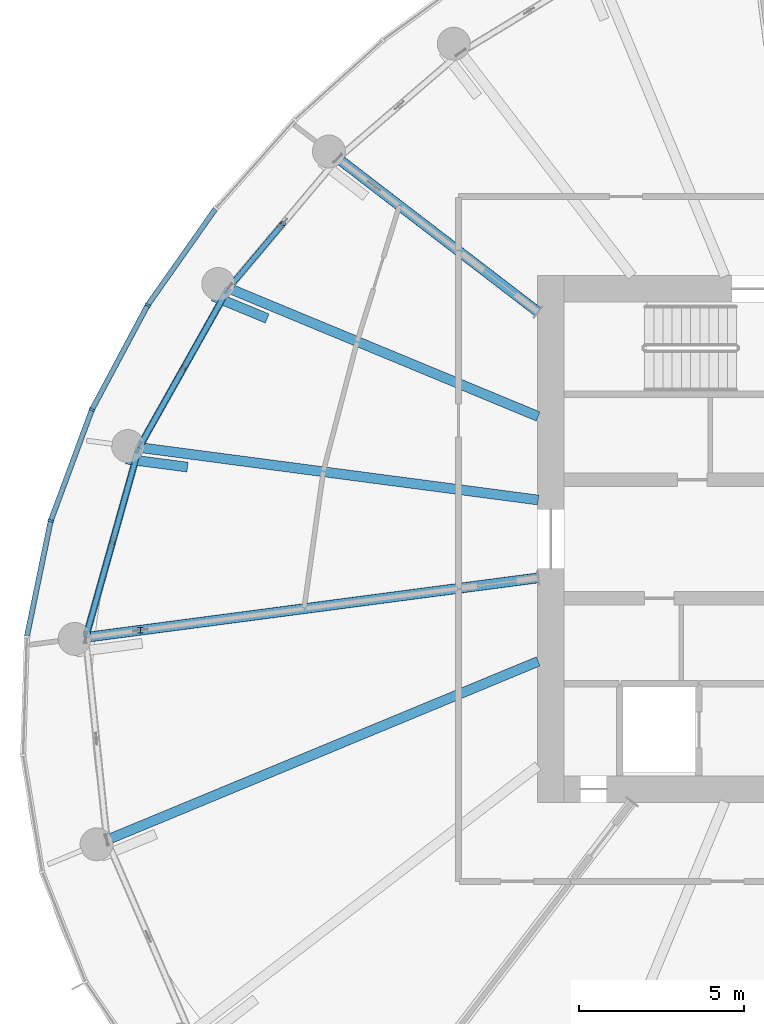
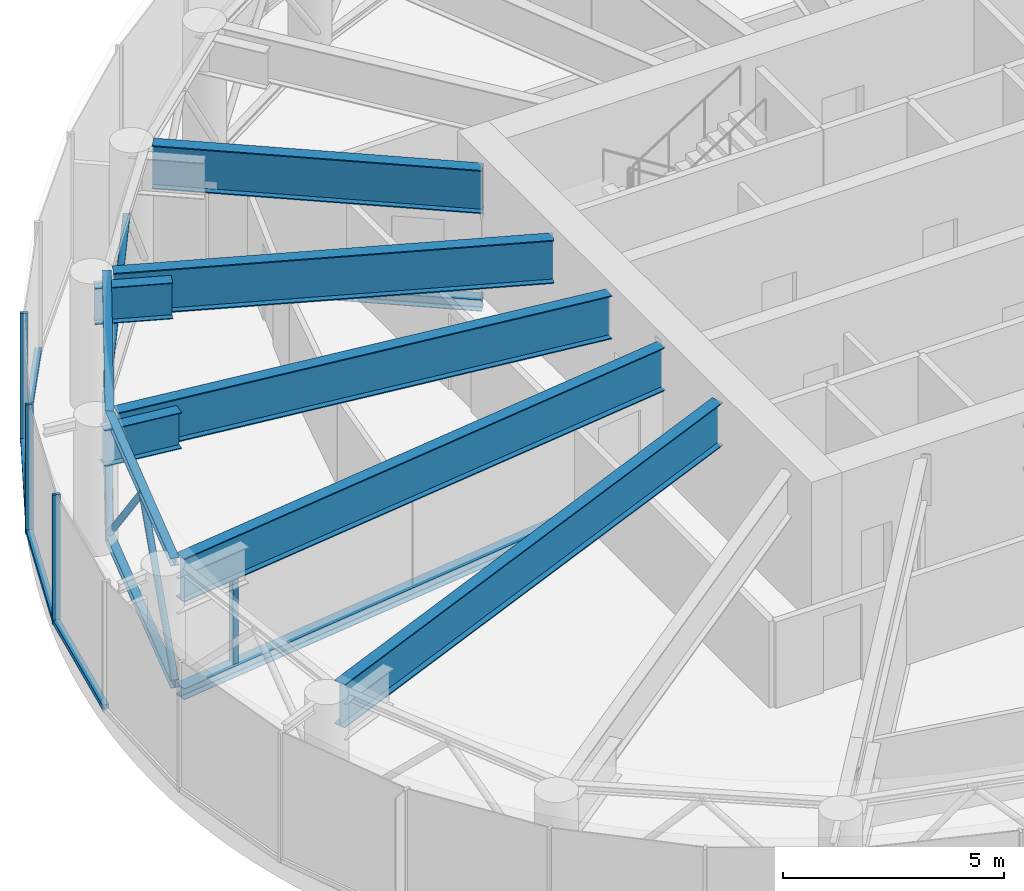
# One storey, part 5 of 25: 19 members, 7 beams, 1 element without a shape of its own.
"""IFC4 building model written with IfcOpenShell, lengths in metres."""

from ifc_helpers import new_model, si_unit, direction, frame, origin, origin_2d, place, context, subcontext, project, spatial, rectangle, hollow_circle, i_section, extrude, source, transform, mapped, material, layer, layer_set, material_profile, profile_set, type_object, element, aggregate, save


model = new_model("IFC4")

# Units and contexts
model_context = context("Model", 3, precision=1e-05, world=origin(), true_north=direction((0.0, 1.0)))
body_context = subcontext(model_context, "Body", "Model", "MODEL_VIEW")
ifc_project = project(units=[si_unit("LENGTHUNIT", "METRE"), si_unit("AREAUNIT", "SQUARE_METRE"), si_unit("VOLUMEUNIT", "CUBIC_METRE"), si_unit("PLANEANGLEUNIT", "RADIAN"), si_unit("MASSUNIT", "GRAM", prefix="KILO")], contexts=[model_context])

# Site, building, storey
site_placement = place(None, origin())
site = spatial("IfcSite", under=ifc_project, at=site_placement, CompositionType="ELEMENT")
building_placement = place(site_placement, origin())
building = spatial("IfcBuilding", under=site, at=building_placement, Name="Spindrift Exchange Tower", CompositionType="ELEMENT")
storey_placement = place(building_placement, frame((0.0, 0.0, 179.89990234375)))
storey = spatial("IfcBuildingStorey", under=building, at=storey_placement, Name="L43", CompositionType="ELEMENT", Elevation=179.89990234375)

# Beams
ifc_material_1 = material(Name="Steel Grade 300", Category="steel")
ifc_material_profile_1 = material_profile(ifc_material_1, i_section(OverallWidth=0.300048828125, OverallDepth=1.199951171875, WebThickness=0.011962890625, FlangeThickness=0.028076171875, at=origin_2d()), Name="1200WB249")
ifc_profile_set_1 = profile_set([ifc_material_profile_1], Name="Steel Grade 300")
beam_type_1 = type_object("IfcBeamType", Name="Transfer Girder 1200WB249 Steel Grade 300", PredefinedType="BEAM", material=ifc_profile_set_1)
shared_shape_1 = source(origin(), body_context, "Body", "SweptSolid", [
    extrude(i_section(OverallWidth=0.300048828125, OverallDepth=1.199951171875, WebThickness=0.011962890625, FlangeThickness=0.028076171875, at=origin_2d()), origin(), (0.0, 0.0, 1.0), 14.04052734375),
])
beam_1_placement = place(storey_placement, frame((43.0185546875, 44.27978515625, 2.97998046875), z_axis=(-0.923879501748, -0.382683506634, 0.0), x_axis=(0.382683506634, -0.923879501748, 0.0)))
element("IfcBeam", 1, at=beam_1_placement, inside=storey, type_object=beam_type_1, Name="L43 radial beam R14A", PredefinedType="BEAM", context=body_context, shape_type="MappedRepresentation", body=[
    mapped(shared_shape_1, transform((0.0, 0.0, 0.0), scale=1.0)),
])
shared_shape_2 = source(origin(), body_context, "Body", "SweptSolid", [
    extrude(i_section(OverallWidth=0.300048828125, OverallDepth=1.199951171875, WebThickness=0.011962890625, FlangeThickness=0.028076171875, at=origin_2d()), origin(), (0.0, 0.0, 1.0), 10.03857421875),
])
beam_2_placement = place(storey_placement, frame((43.0185546875, 51.72021484375, 2.97998046875), z_axis=(-0.923880777638, 0.382680426349, 0.0), x_axis=(-0.382680426349, -0.923880777638, 0.0)))
element("IfcBeam", 2, at=beam_2_placement, inside=storey, type_object=beam_type_1, Name="L43 radial beam R11A", PredefinedType="BEAM", context=body_context, shape_type="MappedRepresentation", body=[
    mapped(shared_shape_2, transform((0.0, 0.0, 0.0), scale=1.0)),
])
shared_shape_3 = source(origin(), body_context, "Body", "SweptSolid", [
    extrude(i_section(OverallWidth=0.300048828125, OverallDepth=1.199951171875, WebThickness=0.011962890625, FlangeThickness=0.028076171875, at=origin_2d()), origin(), (0.0, 0.0, 1.0), 12.088134765625),
])
beam_3_placement = place(storey_placement, frame((43.019775390625, 49.182373046875, 2.97998046875), z_axis=(-0.991447007302, 0.130509891244, 0.0), x_axis=(-0.130509891244, -0.991447007302, 0.0)))
element("IfcBeam", 3, at=beam_3_placement, inside=storey, type_object=beam_type_1, Name="L43 radial beam R12A", PredefinedType="BEAM", context=body_context, shape_type="MappedRepresentation", body=[
    mapped(shared_shape_3, transform((0.0, 0.0, 0.0), scale=1.0)),
])
ifc_material_profile_2 = material_profile(ifc_material_1, i_section(OverallWidth=0.300048828125, OverallDepth=1.199951171875, WebThickness=0.011962890625, FlangeThickness=0.028076171875, at=origin_2d()), Name="1200WB249")
ifc_profile_set_2 = profile_set([ifc_material_profile_2], Name="Steel Grade 300")
beam_type_2 = type_object("IfcBeamType", Name="Outrigger Truss Transfer Girder 1200WB249 Steel Grade 300", PredefinedType="BEAM", material=ifc_profile_set_2)
shared_shape_4 = source(origin(), body_context, "Body", "SweptSolid", [
    extrude(i_section(OverallWidth=0.300048828125, OverallDepth=1.199951171875, WebThickness=0.011962890625, FlangeThickness=0.028076171875, at=origin_2d()), origin(), (0.0, 0.0, 1.0), 13.723388671875),
])
beam_4_placement = place(storey_placement, frame((43.019775390625, 46.817626953125, 2.97998046875), z_axis=(-0.991447148915, -0.13050881544, 0.0), x_axis=(0.13050881544, -0.991447148915, 0.0)))
element("IfcBeam", 4, at=beam_4_placement, inside=storey, type_object=beam_type_2, Name="L43 outrigger truss 13 top chord 1", PredefinedType="BEAM", context=body_context, shape_type="MappedRepresentation", body=[
    mapped(shared_shape_4, transform((0.0, 0.0, 0.0), scale=1.0)),
])

# Members
ifc_material_profile_3 = material_profile(ifc_material_1, i_section(OverallWidth=0.306884765625, OverallDepth=0.31396484375, WebThickness=0.011962890625, FlangeThickness=0.018798828125, FilletRadius=0.0166015625, at=origin_2d()), Name="310UC118")
ifc_profile_set_3 = profile_set([ifc_material_profile_3], Name="Steel Grade 300")
member_type_1 = type_object("IfcMemberType", Name="Outrigger Truss Chord 310UC118 Steel Grade 300", PredefinedType="CHORD", material=ifc_profile_set_3)
shared_shape_5 = source(origin(), body_context, "Body", "SweptSolid", [
    extrude(i_section(OverallWidth=0.306884765625, OverallDepth=0.31396484375, WebThickness=0.011962890625, FlangeThickness=0.018798828125, FilletRadius=0.0166015625, at=origin_2d()), origin(), (0.0, 0.0, 1.0), 13.723388671875),
])
member_1_placement = place(storey_placement, frame((43.019775390625, 46.817626953125, -0.156982421875), z_axis=(-0.991447148915, -0.13050881544, 0.0), x_axis=(0.13050881544, -0.991447148915, 0.0)))
element("IfcMember", 5, at=member_1_placement, inside=storey, type_object=member_type_1, Name="L43 outrigger truss 13 bottom chord 1", PredefinedType="CHORD", context=body_context, shape_type="MappedRepresentation", body=[
    mapped(shared_shape_5, transform((0.0, 0.0, 0.0), scale=1.0)),
])
ifc_material_profile_4 = material_profile(ifc_material_1, i_section(OverallWidth=0.154052734375, OverallDepth=0.162109375, WebThickness=0.008056640625, FlangeThickness=0.011474609375, FilletRadius=0.008056640625, at=origin_2d()), Name="150UC37.2")
ifc_profile_set_4 = profile_set([ifc_material_profile_4], Name="Steel Grade 300")
member_type_2 = type_object("IfcMemberType", Name="Outrigger Truss Post 150UC37.2 Steel Grade 300", PredefinedType="POST", material=ifc_profile_set_4)
shared_shape_6 = source(origin(), body_context, "Body", "SweptSolid", [
    extrude(i_section(OverallWidth=0.154052734375, OverallDepth=0.162109375, WebThickness=0.008056640625, FlangeThickness=0.011474609375, FilletRadius=0.008056640625, at=origin_2d()), origin(), (0.0, 0.0, 1.0), 2.380126953125),
])
member_2_placement = place(storey_placement, frame((30.937744140625, 45.22705078125, 0.0), z_axis=(0.0, 0.0, 1.0), x_axis=(1.0, 0.0, 0.0)))
element("IfcMember", 6, at=member_2_placement, inside=storey, type_object=member_type_2, Name="L43 outrigger truss 13 post 1", PredefinedType="POST", context=body_context, shape_type="MappedRepresentation", body=[
    mapped(shared_shape_6, transform((0.0, 0.0, 0.0), scale=1.0)),
])

# Beam
shared_shape_7 = source(origin(), body_context, "Body", "SweptSolid", [
    extrude(i_section(OverallWidth=0.300048828125, OverallDepth=1.199951171875, WebThickness=0.011962890625, FlangeThickness=0.028076171875, at=origin_2d()), origin(), (0.0, 0.0, 1.0), 7.52685546875),
])
beam_5_placement = place(storey_placement, frame((43.015869140625, 54.893798828125, 2.97998046875), z_axis=(-0.793354136078, 0.608760391918, 0.0), x_axis=(-0.608760391918, -0.793354136078, 0.0)))
element("IfcBeam", 7, at=beam_5_placement, inside=storey, type_object=beam_type_2, Name="L43 outrigger truss 10 top chord 1", PredefinedType="BEAM", context=body_context, shape_type="MappedRepresentation", body=[
    mapped(shared_shape_7, transform((0.0, 0.0, 0.0), scale=1.0)),
])

# Members
shared_shape_8 = source(origin(), body_context, "Body", "SweptSolid", [
    extrude(i_section(OverallWidth=0.306884765625, OverallDepth=0.31396484375, WebThickness=0.011962890625, FlangeThickness=0.018798828125, FilletRadius=0.0166015625, at=origin_2d()), origin(), (0.0, 0.0, 1.0), 7.52685546875),
])
member_3_placement = place(storey_placement, frame((43.015869140625, 54.893798828125, -0.156982421875), z_axis=(-0.793354136078, 0.608760391918, 0.0), x_axis=(-0.608760391918, -0.793354136078, 0.0)))
element("IfcMember", 8, at=member_3_placement, inside=storey, type_object=member_type_1, Name="L43 outrigger truss 10 bottom chord 1", PredefinedType="CHORD", context=body_context, shape_type="MappedRepresentation", body=[
    mapped(shared_shape_8, transform((0.0, 0.0, 0.0), scale=1.0)),
])
ifc_material_2 = material(Name="Steel Grade 350", Category="steel")
ifc_material_profile_5 = material_profile(ifc_material_2, hollow_circle(Radius=0.084228515625, WallThickness=0.007080078125, at=origin_2d()), Name="168.3x7.1CHS")
ifc_profile_set_5 = profile_set([ifc_material_profile_5], Name="Steel Grade 350")
member_type_3 = type_object("IfcMemberType", Name="Belt Truss Diagonal 168.3x7.1CHS Steel Grade 350", PredefinedType="BRACE", material=ifc_profile_set_5)
shared_shape_9 = source(origin(), body_context, "Body", "SweptSolid", [
    extrude(hollow_circle(Radius=0.084228515625, WallThickness=0.007080078125, at=origin_2d()), origin(), (0.0, 0.0, 1.0), 4.077880859375),
])
member_4_placement = place(storey_placement, frame((35.274169921875, 57.588134765625, 3.3701171875), z_axis=(-0.406920744802, -0.483731001619, -0.774867618063), x_axis=(0.765247563476, -0.643736100117, 0.0)))
element("IfcMember", 9, at=member_4_placement, inside=storey, type_object=member_type_3, Name="L43 belt truss 10 diagonal 2", PredefinedType="BRACE", context=body_context, shape_type="MappedRepresentation", body=[
    mapped(shared_shape_9, transform((0.0, 0.0, 0.0), scale=1.0)),
])
ifc_material_profile_6 = material_profile(ifc_material_1, i_section(OverallWidth=0.205078125, OverallDepth=0.2099609375, WebThickness=0.00927734375, FlangeThickness=0.01416015625, FilletRadius=0.012939453125, at=origin_2d()), Name="200UC59.5")
ifc_profile_set_6 = profile_set([ifc_material_profile_6], Name="Steel Grade 300")
member_type_4 = type_object("IfcMemberType", Name="Belt Truss Chord 200UC59.5 Steel Grade 300", PredefinedType="CHORD", material=ifc_profile_set_6)
shared_shape_10 = source(origin(), body_context, "Body", "SweptSolid", [
    extrude(i_section(OverallWidth=0.205078125, OverallDepth=0.2099609375, WebThickness=0.00927734375, FlangeThickness=0.01416015625, FilletRadius=0.012939453125, at=origin_2d()), origin(), (0.0, 0.0, 1.0), 5.548828125),
])
for number, where, z_axis, x_axis, name in (
    (10, (33.61474609375, 55.615478515625, 3.47509765625), (-0.489966670127, -0.871741166956, 0.0), (0.871741166956, -0.489966670127, 0.0), "L43 belt truss 11 top chord"),
    (11, (33.61474609375, 55.615478515625, 0.10498046875), (-0.489966670127, -0.871741166956, 0.0), (0.871741166956, -0.489966670127, 0.0), "L43 belt truss 11 bottom chord"),
):
    element("IfcMember", number, at=place(storey_placement, frame(where, z_axis=z_axis, x_axis=x_axis)), inside=storey, type_object=member_type_4, Name=name, PredefinedType="CHORD", context=body_context, shape_type="MappedRepresentation", body=[
        mapped(shared_shape_10, transform((0.0, 0.0, 0.0), scale=1.0)),
    ])
shared_shape_11 = source(origin(), body_context, "Body", "SweptSolid", [
    extrude(hollow_circle(Radius=0.084228515625, WallThickness=0.007080078125, at=origin_2d()), origin(), (0.0, 0.0, 1.0), 4.204833984375),
])
member_5_placement = place(storey_placement, frame((33.61474609375, 55.615478515625, 0.210205078125), z_axis=(-0.323225200016, -0.575151577395, 0.751482623282), x_axis=(0.871768190835, -0.489918586551, 0.0)))
element("IfcMember", 12, at=member_5_placement, inside=storey, type_object=member_type_3, Name="L43 belt truss 11 diagonal 1", PredefinedType="BRACE", context=body_context, shape_type="MappedRepresentation", body=[
    mapped(shared_shape_11, transform((0.0, 0.0, 0.0), scale=1.0)),
])
shared_shape_12 = source(origin(), body_context, "Body", "SweptSolid", [
    extrude(hollow_circle(Radius=0.084228515625, WallThickness=0.007080078125, at=origin_2d()), origin(), (0.0, 0.0, 1.0), 4.205322265625),
])
member_6_placement = place(storey_placement, frame((32.255615234375, 53.197021484375, 3.3701171875), z_axis=(-0.32331838785, -0.575168839725, -0.751429321951), x_axis=(0.871714144828, -0.490014744377, 0.0)))
element("IfcMember", 13, at=member_6_placement, inside=storey, type_object=member_type_3, Name="L43 belt truss 11 diagonal 2", PredefinedType="BRACE", context=body_context, shape_type="MappedRepresentation", body=[
    mapped(shared_shape_12, transform((0.0, 0.0, 0.0), scale=1.0)),
])
shared_shape_13 = source(origin(), body_context, "Body", "SweptSolid", [
    extrude(i_section(OverallWidth=0.205078125, OverallDepth=0.2099609375, WebThickness=0.00927734375, FlangeThickness=0.01416015625, FilletRadius=0.012939453125, at=origin_2d()), origin(), (0.0, 0.0, 1.0), 5.993408203125),
])
for number, where, z_axis, x_axis, name in (
    (14, (30.89599609375, 50.7783203125, 3.47509765625), (-0.270441210372, -0.962736491327, 0.0), (0.962736491327, -0.270441210372, 0.0), "L43 belt truss 12 top chord"),
    (15, (30.89599609375, 50.7783203125, 0.10498046875), (-0.270441210372, -0.962736491327, 0.0), (0.962736491327, -0.270441210372, 0.0), "L43 belt truss 12 bottom chord"),
):
    element("IfcMember", number, at=place(storey_placement, frame(where, z_axis=z_axis, x_axis=x_axis)), inside=storey, type_object=member_type_4, Name=name, PredefinedType="CHORD", context=body_context, shape_type="MappedRepresentation", body=[
        mapped(shared_shape_13, transform((0.0, 0.0, 0.0), scale=1.0)),
    ])
shared_shape_14 = source(origin(), body_context, "Body", "SweptSolid", [
    extrude(hollow_circle(Radius=0.084228515625, WallThickness=0.007080078125, at=origin_2d()), origin(), (0.0, 0.0, 1.0), 4.35498046875),
])
for number, where, z_axis, x_axis, name in (
    (16, (30.89599609375, 50.7783203125, 0.210205078125), (-0.186068063629, -0.662478550137, 0.725603780521), (0.962747096676, -0.270403453827, 0.0), "L43 belt truss 12 diagonal 1"),
    (17, (30.085693359375, 47.893310546875, 3.3701171875), (-0.186122183343, -0.662471638723, -0.725596210544), (0.962725884731, -0.270478965669, 0.0), "L43 belt truss 12 diagonal 2"),
):
    element("IfcMember", number, at=place(storey_placement, frame(where, z_axis=z_axis, x_axis=x_axis)), inside=storey, type_object=member_type_3, Name=name, PredefinedType="BRACE", context=body_context, shape_type="MappedRepresentation", body=[
        mapped(shared_shape_14, transform((0.0, 0.0, 0.0), scale=1.0)),
    ])

# Beams
ifc_material_profile_7 = material_profile(ifc_material_1, i_section(OverallWidth=0.300048828125, OverallDepth=1.0, WebThickness=0.010009765625, FlangeThickness=0.02001953125, at=origin_2d()), Name="1000WB215")
ifc_profile_set_7 = profile_set([ifc_material_profile_7], Name="Steel Grade 300")
beam_type_3 = type_object("IfcBeamType", Name="Transfer Tie Beam 1000WB215 Steel Grade 300", PredefinedType="BEAM", material=ifc_profile_set_7)
shared_shape_15 = source(origin(), body_context, "Body", "SweptSolid", [
    extrude(i_section(OverallWidth=0.300048828125, OverallDepth=1.0, WebThickness=0.010009765625, FlangeThickness=0.02001953125, at=origin_2d()), origin(), (0.0, 0.0, 1.0), 1.775146484375),
])
beam_6_placement = place(storey_placement, frame((33.147705078125, 55.3759765625, 2.97998046875), z_axis=(0.923844152273, -0.38276883665, 0.0), x_axis=(0.38276883665, 0.923844152273, 0.0)))
element("IfcBeam", 18, at=beam_6_placement, inside=storey, type_object=beam_type_3, Name="L43 transfer tie beam K11", PredefinedType="BEAM", context=body_context, shape_type="MappedRepresentation", body=[
    mapped(shared_shape_15, transform((0.0, 0.0, 0.0), scale=1.0)),
])
shared_shape_16 = source(origin(), body_context, "Body", "SweptSolid", [
    extrude(i_section(OverallWidth=0.300048828125, OverallDepth=1.0, WebThickness=0.010009765625, FlangeThickness=0.02001953125, at=origin_2d()), origin(), (0.0, 0.0, 1.0), 1.8759765625),
])
beam_7_placement = place(storey_placement, frame((30.5068359375, 50.42626953125, 2.97998046875), z_axis=(0.991443660947, -0.130535310046, 0.0), x_axis=(0.130535310046, 0.991443660947, 0.0)))
element("IfcBeam", 19, at=beam_7_placement, inside=storey, type_object=beam_type_3, Name="L43 transfer tie beam K12", PredefinedType="BEAM", context=body_context, shape_type="MappedRepresentation", body=[
    mapped(shared_shape_16, transform((0.0, 0.0, 0.0), scale=1.0)),
])

# Curtain wall, members
ifc_material_3 = material(Name="Fritted laminated glass with bronze frame", Category="glass")
ifc_layer = layer(ifc_material_3, 0.179931640625)
ifc_layer_set = layer_set([ifc_layer], Name="ZONE 3 BRONZE FRITTED WALL")
curtain_wall_type = type_object("IfcCurtainWallType", Name="ZONE 3 BRONZE FRITTED WALL", PredefinedType="NOTDEFINED", material=ifc_layer_set)
curtain_wall_placement = place(storey_placement, origin())
curtain_wall = element("IfcCurtainWall", 20, at=curtain_wall_placement, inside=storey, type_object=curtain_wall_type, Name="L43 Zone 3 Bronze Fritted Wall run 3", PredefinedType="NOTDEFINED")
ifc_material_4 = material(Name="Bronze anodised aluminium", Category="aluminium")
ifc_material_profile_8 = material_profile(ifc_material_4, rectangle(XDim=0.159912109375, YDim=0.1298828125, at=origin_2d()), Name="ZONE 3 BRONZE FRITTED WALL TRANSOM 160X130")
ifc_profile_set_8 = profile_set([ifc_material_profile_8], Name="Bronze anodised aluminium")
member_type_5 = type_object("IfcMemberType", Name="ZONE 3 BRONZE FRITTED WALL TRANSOM 160X130", PredefinedType="USERDEFINED", material=ifc_profile_set_8)
shared_shape_17 = source(origin(), body_context, "Body", "SweptSolid", [
    extrude(rectangle(XDim=0.159912109375, YDim=0.1298828125, at=origin_2d()), origin(), (0.0, 0.0, 1.0), 3.52880859375),
])
member_7_placement = place(storey_placement, frame((28.205810546875, 48.51611328125, 0.065185546875), z_axis=(-0.201953539544, -0.979395103044, 0.0), x_axis=(0.979395103044, -0.201953539544, 0.0)))
member_7 = element("IfcMember", 21, at=member_7_placement, type_object=member_type_5, Name="L43 transom CW-3.17", ObjectType="TRANSOM", PredefinedType="USERDEFINED", context=body_context, shape_type="MappedRepresentation", body=[
    mapped(shared_shape_17, transform((0.0, 0.0, 0.0), scale=1.0)),
])
shared_shape_18 = source(origin(), body_context, "Body", "SweptSolid", [
    extrude(rectangle(XDim=0.159912109375, YDim=0.1298828125, at=origin_2d()), origin(), (0.0, 0.0, 1.0), 3.530517578125),
])
member_8_placement = place(storey_placement, frame((33.20947265625, 58.01806640625, 0.065185546875), z_axis=(-0.575460861118, -0.817829320409, 0.0), x_axis=(0.817829320409, -0.575460861118, 0.0)))
member_8 = element("IfcMember", 22, at=member_8_placement, type_object=member_type_5, Name="L43 transom CW-3.14", ObjectType="TRANSOM", PredefinedType="USERDEFINED", context=body_context, shape_type="MappedRepresentation", body=[
    mapped(shared_shape_18, transform((0.0, 0.0, 0.0), scale=1.0)),
])
ifc_material_profile_9 = material_profile(ifc_material_4, rectangle(XDim=0.070068359375, YDim=0.179931640625, at=origin_2d()), Name="ZONE 3 BRONZE FRITTED WALL MULLION 70X180")
ifc_profile_set_9 = profile_set([ifc_material_profile_9], Name="Bronze anodised aluminium")
member_type_6 = type_object("IfcMemberType", Name="ZONE 3 BRONZE FRITTED WALL MULLION 70X180", PredefinedType="MULLION", material=ifc_profile_set_9)
shared_shape_19 = source(origin(), body_context, "Body", "SweptSolid", [
    extrude(rectangle(XDim=0.070068359375, YDim=0.179931640625, at=origin_2d()), origin(), (0.0, 0.0, 1.0), 3.580078125),
])
member_9_placement = place(storey_placement, frame((31.15771484375, 55.10205078125, 0.0), z_axis=(0.0, 0.0, 1.0), x_axis=(-0.524063105856, -0.851679435633, 0.0)))
member_9 = element("IfcMember", 23, at=member_9_placement, type_object=member_type_6, Name="L43 mullion CW-3.15", PredefinedType="MULLION", context=body_context, shape_type="MappedRepresentation", body=[
    mapped(shared_shape_19, transform((0.0, 0.0, 0.0), scale=1.0)),
])
member_10_placement = place(storey_placement, frame((29.463134765625, 51.92578125, 0.0), z_axis=(0.0, 0.0, 1.0), x_axis=(-0.409959150231, -0.912103883964, 0.0)))
member_10 = element("IfcMember", 24, at=member_10_placement, type_object=member_type_6, Name="L43 mullion CW-3.16", PredefinedType="MULLION", context=body_context, shape_type="MappedRepresentation", body=[
    mapped(shared_shape_19, transform((0.0, 0.0, 0.0), scale=1.0)),
])
member_11_placement = place(storey_placement, frame((28.212890625, 48.55029296875, 0.0), z_axis=(0.0, 0.0, 1.0), x_axis=(-0.275433396464, -0.961320156926, 0.0)))
member_11 = element("IfcMember", 25, at=member_11_placement, type_object=member_type_6, Name="L43 mullion CW-3.17", PredefinedType="MULLION", context=body_context, shape_type="MappedRepresentation", body=[
    mapped(shared_shape_19, transform((0.0, 0.0, 0.0), scale=1.0)),
])
shared_shape_20 = source(origin(), body_context, "Body", "SweptSolid", [
    extrude(rectangle(XDim=0.159912109375, YDim=0.1298828125, at=origin_2d()), origin(), (0.0, 0.0, 1.0), 3.530029296875),
])
member_12_placement = place(storey_placement, frame((31.14111328125, 55.0712890625, 0.065185546875), z_axis=(-0.470656439937, -0.882316561981, 0.0), x_axis=(0.882316561981, -0.470656439937, 0.0)))
member_12 = element("IfcMember", 26, at=member_12_placement, type_object=member_type_5, Name="L43 transom CW-3.15", ObjectType="TRANSOM", PredefinedType="USERDEFINED", context=body_context, shape_type="MappedRepresentation", body=[
    mapped(shared_shape_20, transform((0.0, 0.0, 0.0), scale=1.0)),
])
shared_shape_21 = source(origin(), body_context, "Body", "SweptSolid", [
    extrude(rectangle(XDim=0.159912109375, YDim=0.1298828125, at=origin_2d()), origin(), (0.0, 0.0, 1.0), 3.529541015625),
])
member_13_placement = place(storey_placement, frame((29.450927734375, 51.89306640625, 0.065185546875), z_axis=(-0.347307597249, -0.937751263872, 0.0), x_axis=(0.937751263872, -0.347307597249, 0.0)))
member_13 = element("IfcMember", 27, at=member_13_placement, type_object=member_type_5, Name="L43 transom CW-3.16", ObjectType="TRANSOM", PredefinedType="USERDEFINED", context=body_context, shape_type="MappedRepresentation", body=[
    mapped(shared_shape_21, transform((0.0, 0.0, 0.0), scale=1.0)),
])
aggregate(curtain_wall, [member_8, member_9, member_12, member_10, member_13, member_11, member_7])

save(model, "model.ifc")
